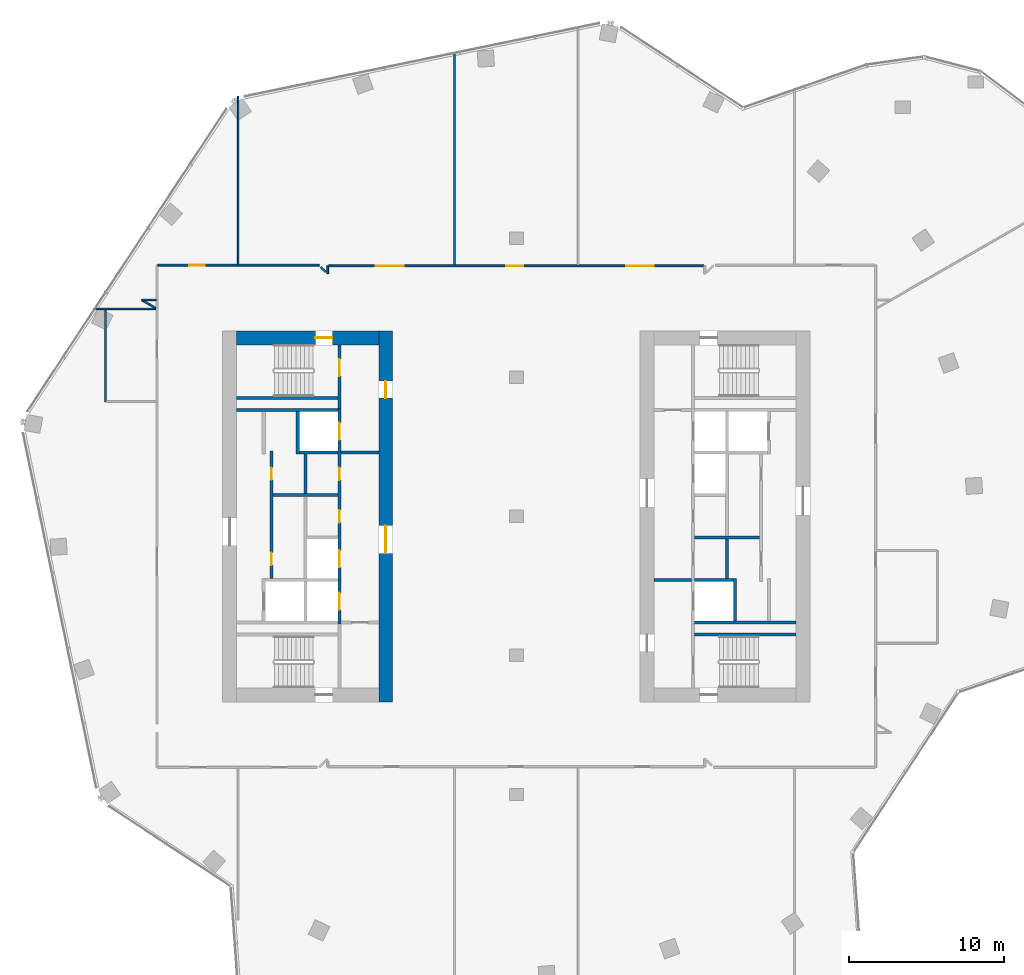
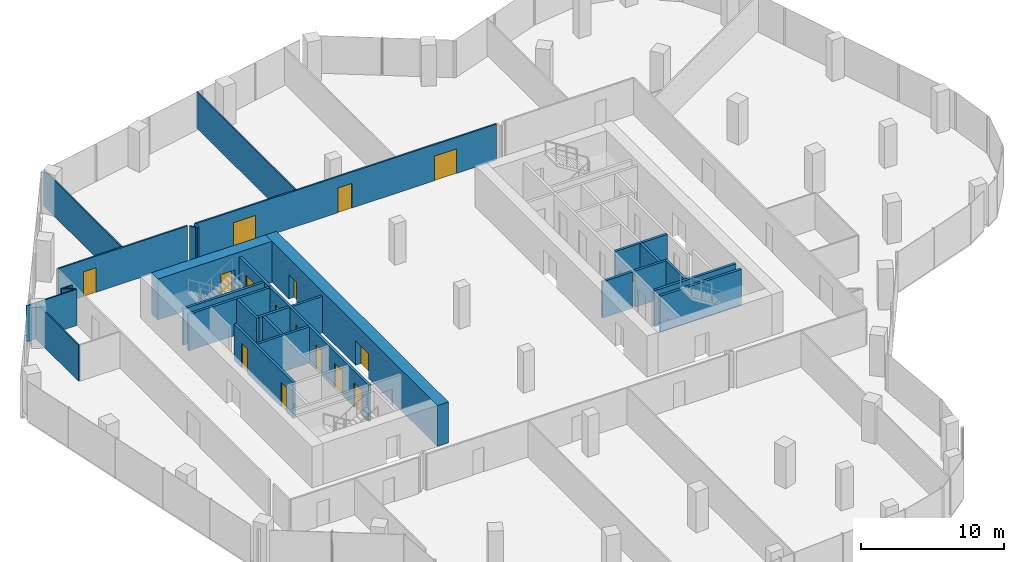
# One storey, part 19 of 24: 29 walls, 15 doors, 15 openings.
"""IFC4 building model written with IfcOpenShell, lengths in metres."""

from ifc_helpers import new_model, si_unit, direction, frame, frame_2d, origin, place, context, subcontext, project, spatial, rectangle, extrude, material, layer, layer_set, type_object, element, fill, save


model = new_model("IFC4")

# Units and contexts
model_context = context("Model", 3, precision=1e-05, world=origin(), true_north=direction((0.0, 1.0)))
body_context = subcontext(model_context, "Body", "Model", "MODEL_VIEW")
ifc_project = project(units=[si_unit("LENGTHUNIT", "METRE"), si_unit("AREAUNIT", "SQUARE_METRE"), si_unit("VOLUMEUNIT", "CUBIC_METRE"), si_unit("PLANEANGLEUNIT", "RADIAN"), si_unit("MASSUNIT", "GRAM", prefix="KILO")], contexts=[model_context])

# Site, building, storey
site_placement = place(None, origin())
site = spatial("IfcSite", under=ifc_project, at=site_placement, CompositionType="ELEMENT")
building_placement = place(site_placement, origin())
building = spatial("IfcBuilding", under=site, at=building_placement, Name="Orlundy Tower", CompositionType="ELEMENT")
storey_placement = place(building_placement, frame((0.0, 0.0, 235.5)))
storey = spatial("IfcBuildingStorey", under=building, at=storey_placement, Name="L62", CompositionType="ELEMENT", Elevation=235.5)

# Wall, opening, door
ifc_material_1 = material(Name="Concrete C60/75", Category="concrete")
ifc_layer_1 = layer(ifc_material_1, 0.89990234375)
ifc_layer_set_1 = layer_set([ifc_layer_1], Name="CORE WALL 900 C60/75")
wall_type_1 = type_object("IfcWallType", Name="CORE WALL 900 C60/75", PredefinedType="SHEAR", material=ifc_layer_set_1)
wall_1_placement = place(storey_placement, frame((-18.10009765625, 11.550048828125, 0.0), z_axis=(0.0, 0.0, 1.0), x_axis=(1.0, 0.0, 0.0)))
wall_1 = element("IfcWall", 1, at=wall_1_placement, inside=storey, type_object=wall_type_1, Name="Core wall W-N L62", PredefinedType="SHEAR", context=body_context, shape_type="SweptSolid", body=[
    extrude(rectangle(XDim=9.2001953125, YDim=0.89990234375, at=frame_2d((4.60009765625, 0.0))), origin(), (0.0, 0.0, 1.0), 3.5),
])
opening_1_placement = place(wall_1_placement, frame((5.10009765625, 0.0, 0.0)))
opening_1 = element("IfcOpeningElement", 2, at=opening_1_placement, cuts=wall_1, Name="Opening 48012", PredefinedType="OPENING", context=body_context, shape_type="SweptSolid", body=[
    extrude(rectangle(XDim=1.10009765625, YDim=2.10009765625, at=frame_2d((0.550048828125, 1.050048828125))), frame((0.0, 0.4599609375, 0.0), z_axis=(0.0, -1.0, 0.0), x_axis=(1.0, 0.0, 0.0)), (0.0, 0.0, 1.0), 0.919921875),
])
ifc_material_2 = material(Name="Steel door set", Category="steel")
door_type_1 = type_object("IfcDoorType", Name="Stair Door 1100x2100", OperationType="SINGLE_SWING_LEFT", PredefinedType="DOOR", material=ifc_material_2)
door_1_placement = place(opening_1_placement, origin())
door_1 = element("IfcDoor", 3, at=door_1_placement, inside=storey, type_object=door_type_1, Name="Stair door 48012", OperationType="SINGLE_SWING_RIGHT", OverallHeight=2.10009765625, OverallWidth=1.10009765625, PredefinedType="DOOR", context=body_context, shape_type="SweptSolid", body=[
    extrude(rectangle(XDim=1.10009765625, YDim=2.10009765625, at=frame_2d((0.550048828125, 1.050048828125))), frame((0.0, 0.02490234375, 0.0), z_axis=(0.0, -1.0, 0.0), x_axis=(1.0, 0.0, 0.0)), (0.0, 0.0, 1.0), 0.050048828125),
])
fill(opening_1, door_1)

# Wall, openings, doors
wall_2_placement = place(storey_placement, frame((-8.449951171875, -12.0, 0.0), z_axis=(0.0, 0.0, 1.0), x_axis=(0.0, 1.0, 0.0)))
wall_2 = element("IfcWall", 4, at=wall_2_placement, inside=storey, type_object=wall_type_1, Name="Core wall W-E L62", PredefinedType="SHEAR", context=body_context, shape_type="SweptSolid", body=[
    extrude(rectangle(XDim=24.0, YDim=0.89990234375, at=frame_2d((12.0, 0.0))), origin(), (0.0, 0.0, 1.0), 3.5),
])
opening_2_placement = place(wall_2_placement, frame((9.60009765625, 0.0, 0.0)))
opening_2 = element("IfcOpeningElement", 5, at=opening_2_placement, cuts=wall_2, Name="Opening 48009", PredefinedType="OPENING", context=body_context, shape_type="SweptSolid", body=[
    extrude(rectangle(XDim=1.800048828125, YDim=2.10009765625, at=frame_2d((0.89990234375, 1.050048828125))), frame((0.0, 0.4599609375, 0.0), z_axis=(0.0, -1.0, 0.0), x_axis=(1.0, 0.0, 0.0)), (0.0, 0.0, 1.0), 0.919921875),
])
opening_3_placement = place(wall_2_placement, frame((19.64990234375, 0.0, 0.0)))
opening_3 = element("IfcOpeningElement", 6, at=opening_3_placement, cuts=wall_2, Name="Opening 48011", PredefinedType="OPENING", context=body_context, shape_type="SweptSolid", body=[
    extrude(rectangle(XDim=1.10009765625, YDim=2.10009765625, at=frame_2d((0.550048828125, 1.050048828125))), frame((0.0, 0.4599609375, 0.0), z_axis=(0.0, -1.0, 0.0), x_axis=(1.0, 0.0, 0.0)), (0.0, 0.0, 1.0), 0.919921875),
])
ifc_material_3 = material(Name="Steel door set", Category="steel")
door_type_2 = type_object("IfcDoorType", Name="Fire-fighting Lobby Door 1100x2100", OperationType="SINGLE_SWING_LEFT", PredefinedType="DOOR", material=ifc_material_3)
door_2_placement = place(opening_3_placement, origin())
door_2 = element("IfcDoor", 7, at=door_2_placement, inside=storey, type_object=door_type_2, Name="Fire-fighting lobby door 48011", OperationType="SINGLE_SWING_RIGHT", OverallHeight=2.10009765625, OverallWidth=1.10009765625, PredefinedType="DOOR", context=body_context, shape_type="SweptSolid", body=[
    extrude(rectangle(XDim=1.10009765625, YDim=2.10009765625, at=frame_2d((0.550048828125, 1.050048828125))), frame((0.0, 0.02490234375, 0.0), z_axis=(0.0, -1.0, 0.0), x_axis=(1.0, 0.0, 0.0)), (0.0, 0.0, 1.0), 0.050048828125),
])
fill(opening_3, door_2)
ifc_material_4 = material(Name="Timber door set", Category="wood")
door_type_3 = type_object("IfcDoorType", Name="Lobby Door 1800x2100", OperationType="DOUBLE_DOOR_DOUBLE_SWING", PredefinedType="DOOR", material=ifc_material_4)
door_3_placement = place(opening_2_placement, origin())
door_3 = element("IfcDoor", 8, at=door_3_placement, inside=storey, type_object=door_type_3, Name="Lift lobby door 48009", OperationType="SINGLE_SWING_LEFT", OverallHeight=2.10009765625, OverallWidth=1.800048828125, PredefinedType="DOOR", context=body_context, shape_type="SweptSolid", body=[
    extrude(rectangle(XDim=1.800048828125, YDim=2.10009765625, at=frame_2d((0.89990234375, 1.050048828125))), frame((0.0, 0.02490234375, 0.0), z_axis=(0.0, -1.0, 0.0), x_axis=(1.0, 0.0, 0.0)), (0.0, 0.0, 1.0), 0.050048828125),
])
fill(opening_2, door_3)

# Walls
ifc_material_5 = material(Name="Gypsum board partition")
ifc_layer_2 = layer(ifc_material_5, 0.10009765625)
ifc_layer_set_2 = layer_set([ifc_layer_2], Name="Floor partition 100")
wall_type_2 = type_object("IfcWallType", Name="Floor partition 100", PredefinedType="PARTITIONING", material=ifc_layer_set_2)
wall_3_placement = place(storey_placement, frame((-24.2060546875, 13.97509765625, 0.0), z_axis=(0.0, 0.0, 1.0), x_axis=(0.866136921896, -0.4998067952, 0.0)))
element("IfcWall", 9, at=wall_3_placement, inside=storey, type_object=wall_type_2, Name="wall-int-L62-004", PredefinedType="PARTITIONING", context=body_context, shape_type="SweptSolid", body=[
    extrude(rectangle(XDim=1.00244140625, YDim=0.10009765625, at=frame_2d((0.501220703125, 0.0))), origin(), (0.0, 0.0, 1.0), 3.080078125),
])
wall_4_placement = place(storey_placement, frame((-27.376953125, 13.424072265625, 0.0), z_axis=(0.0, 0.0, 1.0), x_axis=(1.0, 0.0, 0.0)))
element("IfcWall", 10, at=wall_4_placement, inside=storey, type_object=wall_type_2, Name="wall-int-L62-013", PredefinedType="PARTITIONING", context=body_context, shape_type="SweptSolid", body=[
    extrude(rectangle(XDim=4.06298828125, YDim=0.10009765625, at=frame_2d((2.031494140625, 0.0))), origin(), (0.0, 0.0, 1.0), 3.080078125),
])
wall_5_placement = place(storey_placement, frame((-24.2490234375, 14.0, 0.0), z_axis=(0.0, 0.0, 1.0), x_axis=(1.0, 0.0, 0.0)))
element("IfcWall", 11, at=wall_5_placement, inside=storey, type_object=wall_type_2, Name="wall-int-L62-014", PredefinedType="PARTITIONING", context=body_context, shape_type="SweptSolid", body=[
    extrude(rectangle(XDim=0.93701171875, YDim=0.10009765625, at=frame_2d((0.468505859375, 0.0))), origin(), (0.0, 0.0, 1.0), 3.080078125),
])
wall_6_placement = place(storey_placement, frame((-4.0, 16.261962890625, 0.0), z_axis=(0.0, 0.0, 1.0), x_axis=(0.0, 1.0, 0.0)))
element("IfcWall", 12, at=wall_6_placement, inside=storey, type_object=wall_type_2, Name="wall-int-L62-032", PredefinedType="PARTITIONING", context=body_context, shape_type="SweptSolid", body=[
    extrude(rectangle(XDim=13.800048828125, YDim=0.10009765625, at=frame_2d((6.89990234375, 0.0))), origin(), (0.0, 0.0, 1.0), 3.080078125),
])
wall_7_placement = place(storey_placement, frame((-18.0, 16.31201171875, 0.0), z_axis=(0.0, 0.0, 1.0), x_axis=(0.0, 1.0, 0.0)))
element("IfcWall", 13, at=wall_7_placement, inside=storey, type_object=wall_type_2, Name="wall-int-L62-034", PredefinedType="PARTITIONING", context=body_context, shape_type="SweptSolid", body=[
    extrude(rectangle(XDim=10.85888671875, YDim=0.10009765625, at=frame_2d((5.429443359375, 0.0))), origin(), (0.0, 0.0, 1.0), 3.080078125),
])
wall_8_placement = place(storey_placement, frame((-26.58203125, 7.423095703125, 0.0), z_axis=(0.0, 0.0, 1.0), x_axis=(0.0, 1.0, 0.0)))
element("IfcWall", 14, at=wall_8_placement, inside=storey, type_object=wall_type_2, Name="wall-int-L62-037", PredefinedType="PARTITIONING", context=body_context, shape_type="SweptSolid", body=[
    extrude(rectangle(XDim=6.0, YDim=0.10009765625, at=frame_2d((3.0, 0.0))), origin(), (0.0, 0.0, 1.0), 3.080078125),
])
ifc_material_6 = material(Name="Gypsum board partition, double layer")
ifc_layer_3 = layer(ifc_material_6, 0.125)
ifc_layer_set_3 = layer_set([ifc_layer_3], Name="Floor partition 125")
wall_type_3 = type_object("IfcWallType", Name="Floor partition 125", PredefinedType="PARTITIONING", material=ifc_layer_set_3)
wall_9_placement = place(storey_placement, frame((-12.64599609375, 16.1240234375, 0.0), z_axis=(0.0, 0.0, 1.0), x_axis=(0.707106781187, -0.707106781187, 0.0)))
element("IfcWall", 15, at=wall_9_placement, inside=storey, type_object=wall_type_3, Name="wall-int-L62-003", PredefinedType="PARTITIONING", context=body_context, shape_type="SweptSolid", body=[
    extrude(rectangle(XDim=0.449951171875, YDim=0.125, at=frame_2d((0.22509765625, 0.0))), origin(), (0.0, 0.0, 1.0), 3.080078125),
])

# Wall, openings, doors
wall_10_placement = place(storey_placement, frame((-12.136962890625, 16.199951171875, 0.0), z_axis=(0.0, 0.0, 1.0), x_axis=(1.0, 0.0, 0.0)))
wall_10 = element("IfcWall", 16, at=wall_10_placement, inside=storey, type_object=wall_type_3, Name="wall-int-L62-016", PredefinedType="PARTITIONING", context=body_context, shape_type="SweptSolid", body=[
    extrude(rectangle(XDim=24.27587890625, YDim=0.125, at=frame_2d((12.137939453125, 0.0))), origin(), (0.0, 0.0, 1.0), 3.080078125),
])
opening_4_placement = place(wall_10_placement, frame((19.237548828125, 0.0, 0.0)))
opening_4 = element("IfcOpeningElement", 17, at=opening_4_placement, cuts=wall_10, Name="Opening 48108", PredefinedType="OPENING", context=body_context, shape_type="SweptSolid", body=[
    extrude(rectangle(XDim=1.800048828125, YDim=2.10009765625, at=frame_2d((0.89990234375, 1.050048828125))), frame((0.0, 0.072509765625, 0.0), z_axis=(0.0, -1.0, 0.0), x_axis=(1.0, 0.0, 0.0)), (0.0, 0.0, 1.0), 0.14501953125),
])
opening_5_placement = place(wall_10_placement, frame((11.487548828125, 0.0, 0.0)))
opening_5 = element("IfcOpeningElement", 18, at=opening_5_placement, cuts=wall_10, Name="Opening 48109", PredefinedType="OPENING", context=body_context, shape_type="SweptSolid", body=[
    extrude(rectangle(XDim=1.10009765625, YDim=2.10009765625, at=frame_2d((0.550048828125, 1.050048828125))), frame((0.0, 0.072509765625, 0.0), z_axis=(0.0, -1.0, 0.0), x_axis=(1.0, 0.0, 0.0)), (0.0, 0.0, 1.0), 0.14501953125),
])
opening_6_placement = place(wall_10_placement, frame((3.03759765625, 0.0, 0.0)))
opening_6 = element("IfcOpeningElement", 19, at=opening_6_placement, cuts=wall_10, Name="Opening 48110", PredefinedType="OPENING", context=body_context, shape_type="SweptSolid", body=[
    extrude(rectangle(XDim=1.800048828125, YDim=2.10009765625, at=frame_2d((0.89990234375, 1.050048828125))), frame((0.0, 0.072509765625, 0.0), z_axis=(0.0, -1.0, 0.0), x_axis=(1.0, 0.0, 0.0)), (0.0, 0.0, 1.0), 0.14501953125),
])
ifc_material_7 = material(Name="Timber door leaf", Category="wood")
door_type_4 = type_object("IfcDoorType", Name="Floor door double 1800 FD30S", OperationType="NOTDEFINED", PredefinedType="DOOR", material=ifc_material_7)
door_4_placement = place(opening_4_placement, origin())
door_4 = element("IfcDoor", 20, at=door_4_placement, inside=storey, type_object=door_type_4, Name="Door 48108", OperationType="DOUBLE_DOOR_SINGLE_SWING", OverallHeight=2.10009765625, OverallWidth=1.800048828125, PredefinedType="DOOR", context=body_context, shape_type="SweptSolid", body=[
    extrude(rectangle(XDim=1.800048828125, YDim=2.10009765625, at=frame_2d((0.89990234375, 1.050048828125))), frame((0.0, 0.02490234375, 0.0), z_axis=(0.0, -1.0, 0.0), x_axis=(1.0, 0.0, 0.0)), (0.0, 0.0, 1.0), 0.050048828125),
])
fill(opening_4, door_4)
door_5_placement = place(opening_6_placement, origin())
door_5 = element("IfcDoor", 21, at=door_5_placement, inside=storey, type_object=door_type_4, Name="Door 48110", OperationType="DOUBLE_DOOR_SINGLE_SWING", OverallHeight=2.10009765625, OverallWidth=1.800048828125, PredefinedType="DOOR", context=body_context, shape_type="SweptSolid", body=[
    extrude(rectangle(XDim=1.800048828125, YDim=2.10009765625, at=frame_2d((0.89990234375, 1.050048828125))), frame((0.0, 0.02490234375, 0.0), z_axis=(0.0, -1.0, 0.0), x_axis=(1.0, 0.0, 0.0)), (0.0, 0.0, 1.0), 0.050048828125),
])
fill(opening_6, door_5)
ifc_material_8 = material(Name="Timber door leaf", Category="wood")
door_type_5 = type_object("IfcDoorType", Name="Floor door xwide 1100 FD30S", OperationType="NOTDEFINED", PredefinedType="DOOR", material=ifc_material_8)
door_6_placement = place(opening_5_placement, origin())
door_6 = element("IfcDoor", 22, at=door_6_placement, inside=storey, type_object=door_type_5, Name="Door 48109", OperationType="SINGLE_SWING_LEFT", OverallHeight=2.10009765625, OverallWidth=1.10009765625, PredefinedType="DOOR", context=body_context, shape_type="SweptSolid", body=[
    extrude(rectangle(XDim=1.10009765625, YDim=2.10009765625, at=frame_2d((0.550048828125, 1.050048828125))), frame((0.0, 0.02490234375, 0.0), z_axis=(0.0, -1.0, 0.0), x_axis=(1.0, 0.0, 0.0)), (0.0, 0.0, 1.0), 0.050048828125),
])
fill(opening_5, door_6)

# Wall, opening, door
wall_11_placement = place(storey_placement, frame((-23.18798828125, 16.25, 0.0), z_axis=(0.0, 0.0, 1.0), x_axis=(1.0, 0.0, 0.0)))
wall_11 = element("IfcWall", 23, at=wall_11_placement, inside=storey, type_object=wall_type_3, Name="wall-int-L62-017", PredefinedType="PARTITIONING", context=body_context, shape_type="SweptSolid", body=[
    extrude(rectangle(XDim=10.428955078125, YDim=0.125, at=frame_2d((5.21435546875, 0.0))), origin(), (0.0, 0.0, 1.0), 3.080078125),
])
opening_7_placement = place(wall_11_placement, frame((2.03759765625, 0.0, 0.0)))
opening_7 = element("IfcOpeningElement", 24, at=opening_7_placement, cuts=wall_11, Name="Opening 48111", PredefinedType="OPENING", context=body_context, shape_type="SweptSolid", body=[
    extrude(rectangle(XDim=1.0, YDim=2.10009765625, at=frame_2d((0.5, 1.050048828125))), frame((0.0, 0.072509765625, 0.0), z_axis=(0.0, -1.0, 0.0), x_axis=(1.0, 0.0, 0.0)), (0.0, 0.0, 1.0), 0.14501953125),
])
ifc_material_9 = material(Name="Timber door leaf", Category="wood")
door_type_6 = type_object("IfcDoorType", Name="Floor door wide 1000 FD30S", OperationType="NOTDEFINED", PredefinedType="DOOR", material=ifc_material_9)
door_7_placement = place(opening_7_placement, origin())
door_7 = element("IfcDoor", 25, at=door_7_placement, inside=storey, type_object=door_type_6, Name="Door 48111", OperationType="SINGLE_SWING_LEFT", OverallHeight=2.10009765625, OverallWidth=1.0, PredefinedType="DOOR", context=body_context, shape_type="SweptSolid", body=[
    extrude(rectangle(XDim=1.0, YDim=2.10009765625, at=frame_2d((0.5, 1.050048828125))), frame((0.0, 0.02490234375, 0.0), z_axis=(0.0, -1.0, 0.0), x_axis=(1.0, 0.0, 0.0)), (0.0, 0.0, 1.0), 0.050048828125),
])
fill(opening_7, door_7)

# Wall
wall_12_placement = place(storey_placement, frame((-12.200927734375, 15.69189453125, 0.0), z_axis=(0.0, 0.0, 1.0), x_axis=(0.00192214926, 0.999998152669, 0.0)))
element("IfcWall", 26, at=wall_12_placement, inside=storey, type_object=wall_type_3, Name="wall-int-L62-022", PredefinedType="PARTITIONING", context=body_context, shape_type="SweptSolid", body=[
    extrude(rectangle(XDim=0.508056640625, YDim=0.125, at=frame_2d((0.25390625, 0.0))), origin(), (0.0, 0.0, 1.0), 3.080078125),
])

# Wall, opening, door
ifc_material_10 = material(Name="Concrete C40/50", Category="concrete")
ifc_layer_4 = layer(ifc_material_10, 0.199951171875)
ifc_layer_set_4 = layer_set([ifc_layer_4], Name="Load-bearing Shaft Wall 200")
wall_type_4 = type_object("IfcWallType", Name="Load-bearing Shaft Wall 200", PredefinedType="SOLIDWALL", material=ifc_layer_set_4)
wall_13_placement = place(storey_placement, frame((-11.43994140625, 6.97509765625, 0.0), z_axis=(0.0, 0.0, 1.0), x_axis=(0.0, 1.0, 0.0)))
wall_13 = element("IfcWall", 27, at=wall_13_placement, inside=storey, type_object=wall_type_4, Name="Shaft wall W48-stair-end-n", PredefinedType="SOLIDWALL", context=body_context, shape_type="SweptSolid", body=[
    extrude(rectangle(XDim=4.125, YDim=0.199951171875, at=frame_2d((2.0625, 0.0))), origin(), (0.0, 0.0, 1.0), 3.090087890625),
])
opening_8_placement = place(wall_13_placement, frame((2.10009765625, 0.0, 0.0)))
opening_8 = element("IfcOpeningElement", 28, at=opening_8_placement, cuts=wall_13, Name="Opening 48014", PredefinedType="OPENING", context=body_context, shape_type="SweptSolid", body=[
    extrude(rectangle(XDim=1.10009765625, YDim=2.10009765625, at=frame_2d((0.550048828125, 1.050048828125))), frame((0.0, 0.110107421875, 0.0), z_axis=(0.0, -1.0, 0.0), x_axis=(1.0, 0.0, 0.0)), (0.0, 0.0, 1.0), 0.22021484375),
])
door_8_placement = place(opening_8_placement, origin())
door_8 = element("IfcDoor", 29, at=door_8_placement, inside=storey, type_object=door_type_2, Name="Fire-fighting lobby to stair door 48014", OperationType="SINGLE_SWING_RIGHT", OverallHeight=2.10009765625, OverallWidth=1.10009765625, PredefinedType="DOOR", context=body_context, shape_type="SweptSolid", body=[
    extrude(rectangle(XDim=1.10009765625, YDim=2.10009765625, at=frame_2d((0.550048828125, 1.050048828125))), frame((0.0, 0.02490234375, 0.0), z_axis=(0.0, -1.0, 0.0), x_axis=(1.0, 0.0, 0.0)), (0.0, 0.0, 1.0), 0.050048828125),
])
fill(opening_8, door_8)

# Walls
for number, where, z_axis, x_axis, name in (
    (30, (-11.5400390625, 7.64990234375, 0.0), (0.0, 0.0, 1.0), (-1.0, 0.0, 0.0), "Shaft wall W48-stair-side-n"),
    (31, (11.5400390625, -7.64990234375, 0.0), (0.0, 0.0, 1.0), (1.0, 0.0, 0.0), "Shaft wall E48-stair-side-n"),
):
    element("IfcWall", number, at=place(storey_placement, frame(where, z_axis=z_axis, x_axis=x_axis)), inside=storey, type_object=wall_type_4, Name=name, PredefinedType="SOLIDWALL", context=body_context, shape_type="SweptSolid", body=[
        extrude(rectangle(XDim=6.56005859375, YDim=0.199951171875, at=frame_2d((3.280029296875, 0.0))), origin(), (0.0, 0.0, 1.0), 3.090087890625),
    ])
ifc_material_11 = material(Name="Gypsum board partition on steel studs", Category="steel")
ifc_layer_5 = layer(ifc_material_11, 0.199951171875)
ifc_layer_set_5 = layer_set([ifc_layer_5], Name="Partition 200")
wall_type_5 = type_object("IfcWallType", Name="Partition 200", PredefinedType="PARTITIONING", material=ifc_layer_set_5)
for number, where, z_axis, x_axis, name in (
    (32, (-8.89990234375, 4.125, 0.0), (0.0, 0.0, 1.0), (-1.0, 0.0, 0.0), "Partition wall W48-lobby-n"),
    (33, (8.89990234375, -4.125, 0.0), (0.0, 0.0, 1.0), (1.0, 0.0, 0.0), "Partition wall E48-lobby-n"),
):
    element("IfcWall", number, at=place(storey_placement, frame(where, z_axis=z_axis, x_axis=x_axis)), inside=storey, type_object=wall_type_5, Name=name, PredefinedType="PARTITIONING", context=body_context, shape_type="SweptSolid", body=[
        extrude(rectangle(XDim=2.440185546875, YDim=0.199951171875, at=frame_2d((1.22021484375, 0.0))), origin(), (0.0, 0.0, 1.0), 3.090087890625),
    ])
ifc_material_12 = material(Name="Fire-rated blockwork shaft wall", Category="masonry")
ifc_layer_6 = layer(ifc_material_12, 0.199951171875)
ifc_layer_set_6 = layer_set([ifc_layer_6], Name="Shaft Wall 200")
wall_type_6 = type_object("IfcWallType", Name="Shaft Wall 200", PredefinedType="SOLIDWALL", material=ifc_layer_set_6)
wall_14_placement = place(storey_placement, frame((-11.5400390625, 6.875, 0.0), z_axis=(0.0, 0.0, 1.0), x_axis=(-1.0, 0.0, 0.0)))
element("IfcWall", 34, at=wall_14_placement, inside=storey, type_object=wall_type_6, Name="Shaft wall W48-zone-n", PredefinedType="SOLIDWALL", context=body_context, shape_type="SweptSolid", body=[
    extrude(rectangle(XDim=6.56005859375, YDim=0.199951171875, at=frame_2d((3.280029296875, 0.0))), origin(), (0.0, 0.0, 1.0), 3.090087890625),
])
wall_15_placement = place(storey_placement, frame((-11.5400390625, 1.375, 0.0), z_axis=(0.0, 0.0, 1.0), x_axis=(-1.0, 0.0, 0.0)))
element("IfcWall", 35, at=wall_15_placement, inside=storey, type_object=wall_type_6, Name="Shaft wall W48-cross+1.375", PredefinedType="SOLIDWALL", context=body_context, shape_type="SweptSolid", body=[
    extrude(rectangle(XDim=4.199951171875, YDim=0.199951171875, at=frame_2d((2.10009765625, 0.0))), origin(), (0.0, 0.0, 1.0), 3.090087890625),
])
wall_16_placement = place(storey_placement, frame((-11.5400390625, 4.125, 0.0), z_axis=(0.0, 0.0, 1.0), x_axis=(-1.0, 0.0, 0.0)))
element("IfcWall", 36, at=wall_16_placement, inside=storey, type_object=wall_type_6, Name="Shaft wall W48-cross+4.125", PredefinedType="SOLIDWALL", context=body_context, shape_type="SweptSolid", body=[
    extrude(rectangle(XDim=2.5, YDim=0.199951171875, at=frame_2d((1.25, 0.0))), origin(), (0.0, 0.0, 1.0), 3.090087890625),
])

# Wall, openings, doors
wall_17_placement = place(storey_placement, frame((-11.43994140625, -6.97509765625, 0.0), z_axis=(0.0, 0.0, 1.0), x_axis=(0.0, 1.0, 0.0)))
wall_17 = element("IfcWall", 37, at=wall_17_placement, inside=storey, type_object=wall_type_6, Name="Shaft wall W48-front-h", PredefinedType="SOLIDWALL", context=body_context, shape_type="SweptSolid", body=[
    extrude(rectangle(XDim=13.9501953125, YDim=0.199951171875, at=frame_2d((6.97509765625, 0.0))), origin(), (0.0, 0.0, 1.0), 3.090087890625),
])
opening_9_placement = place(wall_17_placement, frame((0.925048828125, 0.0, 0.0)))
opening_9 = element("IfcOpeningElement", 38, at=opening_9_placement, cuts=wall_17, Name="Opening 48001", PredefinedType="OPENING", context=body_context, shape_type="SweptSolid", body=[
    extrude(rectangle(XDim=1.10009765625, YDim=2.10009765625, at=frame_2d((0.550048828125, 1.050048828125))), frame((0.0, 0.110107421875, 0.0), z_axis=(0.0, -1.0, 0.0), x_axis=(1.0, 0.0, 0.0)), (0.0, 0.0, 1.0), 0.22021484375),
])
opening_10_placement = place(wall_17_placement, frame((3.675048828125, 0.0, 0.0)))
opening_10 = element("IfcOpeningElement", 39, at=opening_10_placement, cuts=wall_17, Name="Opening 48003", PredefinedType="OPENING", context=body_context, shape_type="SweptSolid", body=[
    extrude(rectangle(XDim=1.10009765625, YDim=2.10009765625, at=frame_2d((0.550048828125, 1.050048828125))), frame((0.0, 0.110107421875, 0.0), z_axis=(0.0, -1.0, 0.0), x_axis=(1.0, 0.0, 0.0)), (0.0, 0.0, 1.0), 0.22021484375),
])
opening_11_placement = place(wall_17_placement, frame((11.925048828125, 0.0, 0.0)))
opening_11 = element("IfcOpeningElement", 40, at=opening_11_placement, cuts=wall_17, Name="Opening 48004", PredefinedType="OPENING", context=body_context, shape_type="SweptSolid", body=[
    extrude(rectangle(XDim=1.10009765625, YDim=2.10009765625, at=frame_2d((0.550048828125, 1.050048828125))), frame((0.0, 0.110107421875, 0.0), z_axis=(0.0, -1.0, 0.0), x_axis=(1.0, 0.0, 0.0)), (0.0, 0.0, 1.0), 0.22021484375),
])
opening_12_placement = place(wall_17_placement, frame((6.574951171875, 0.0, 0.0)))
opening_12 = element("IfcOpeningElement", 41, at=opening_12_placement, cuts=wall_17, Name="Opening 48006", PredefinedType="OPENING", context=body_context, shape_type="SweptSolid", body=[
    extrude(rectangle(XDim=0.800048828125, YDim=2.10009765625, at=frame_2d((0.39990234375, 1.050048828125))), frame((0.0, 0.110107421875, 0.0), z_axis=(0.0, -1.0, 0.0), x_axis=(1.0, 0.0, 0.0)), (0.0, 0.0, 1.0), 0.22021484375),
])
opening_13_placement = place(wall_17_placement, frame((9.324951171875, 0.0, 0.0)))
opening_13 = element("IfcOpeningElement", 42, at=opening_13_placement, cuts=wall_17, Name="Opening 48007", PredefinedType="OPENING", context=body_context, shape_type="SweptSolid", body=[
    extrude(rectangle(XDim=0.800048828125, YDim=2.10009765625, at=frame_2d((0.39990234375, 1.050048828125))), frame((0.0, 0.110107421875, 0.0), z_axis=(0.0, -1.0, 0.0), x_axis=(1.0, 0.0, 0.0)), (0.0, 0.0, 1.0), 0.22021484375),
])
ifc_material_13 = material(Name="Steel door set", Category="steel")
door_type_7 = type_object("IfcDoorType", Name="Landing Door 1100x2100", OperationType="DOUBLE_DOOR_SLIDING", PredefinedType="DOOR", material=ifc_material_13)
door_9_placement = place(opening_9_placement, origin())
door_9 = element("IfcDoor", 43, at=door_9_placement, inside=storey, type_object=door_type_7, Name="Lift landing door LP-22 48001", OperationType="DOUBLE_DOOR_SLIDING", OverallHeight=2.10009765625, OverallWidth=1.10009765625, PredefinedType="DOOR", context=body_context, shape_type="SweptSolid", body=[
    extrude(rectangle(XDim=1.10009765625, YDim=2.10009765625, at=frame_2d((0.550048828125, 1.050048828125))), frame((0.0, 0.02490234375, 0.0), z_axis=(0.0, -1.0, 0.0), x_axis=(1.0, 0.0, 0.0)), (0.0, 0.0, 1.0), 0.050048828125),
])
fill(opening_9, door_9)
door_10_placement = place(opening_10_placement, origin())
door_10 = element("IfcDoor", 44, at=door_10_placement, inside=storey, type_object=door_type_7, Name="Lift landing door LP-21 48003", OperationType="DOUBLE_DOOR_SLIDING", OverallHeight=2.10009765625, OverallWidth=1.10009765625, PredefinedType="DOOR", context=body_context, shape_type="SweptSolid", body=[
    extrude(rectangle(XDim=1.10009765625, YDim=2.10009765625, at=frame_2d((0.550048828125, 1.050048828125))), frame((0.0, 0.02490234375, 0.0), z_axis=(0.0, -1.0, 0.0), x_axis=(1.0, 0.0, 0.0)), (0.0, 0.0, 1.0), 0.050048828125),
])
fill(opening_10, door_10)
door_11_placement = place(opening_11_placement, origin())
door_11 = element("IfcDoor", 45, at=door_11_placement, inside=storey, type_object=door_type_7, Name="Lift landing door FL1 48004", OperationType="DOUBLE_DOOR_SLIDING", OverallHeight=2.10009765625, OverallWidth=1.10009765625, PredefinedType="DOOR", context=body_context, shape_type="SweptSolid", body=[
    extrude(rectangle(XDim=1.10009765625, YDim=2.10009765625, at=frame_2d((0.550048828125, 1.050048828125))), frame((0.0, 0.02490234375, 0.0), z_axis=(0.0, -1.0, 0.0), x_axis=(1.0, 0.0, 0.0)), (0.0, 0.0, 1.0), 0.050048828125),
])
fill(opening_11, door_11)
ifc_material_14 = material(Name="Timber door set", Category="wood")
door_type_8 = type_object("IfcDoorType", Name="Riser Door 800x2100", OperationType="SINGLE_SWING_LEFT", PredefinedType="DOOR", material=ifc_material_14)
door_12_placement = place(opening_12_placement, origin())
door_12 = element("IfcDoor", 46, at=door_12_placement, inside=storey, type_object=door_type_8, Name="Security Store door 48006", OperationType="SINGLE_SWING_LEFT", OverallHeight=2.10009765625, OverallWidth=0.800048828125, PredefinedType="DOOR", context=body_context, shape_type="SweptSolid", body=[
    extrude(rectangle(XDim=0.800048828125, YDim=2.10009765625, at=frame_2d((0.39990234375, 1.050048828125))), frame((0.0, 0.02490234375, 0.0), z_axis=(0.0, -1.0, 0.0), x_axis=(1.0, 0.0, 0.0)), (0.0, 0.0, 1.0), 0.050048828125),
])
fill(opening_12, door_12)
door_13_placement = place(opening_13_placement, origin())
door_13 = element("IfcDoor", 47, at=door_13_placement, inside=storey, type_object=door_type_8, Name="Furniture Store door 48007", OperationType="SINGLE_SWING_LEFT", OverallHeight=2.10009765625, OverallWidth=0.800048828125, PredefinedType="DOOR", context=body_context, shape_type="SweptSolid", body=[
    extrude(rectangle(XDim=0.800048828125, YDim=2.10009765625, at=frame_2d((0.39990234375, 1.050048828125))), frame((0.0, 0.02490234375, 0.0), z_axis=(0.0, -1.0, 0.0), x_axis=(1.0, 0.0, 0.0)), (0.0, 0.0, 1.0), 0.050048828125),
])
fill(opening_13, door_13)

# Walls
wall_18_placement = place(storey_placement, frame((-13.639892578125, 1.47509765625, 0.0), z_axis=(0.0, 0.0, 1.0), x_axis=(0.0, 1.0, 0.0)))
element("IfcWall", 48, at=wall_18_placement, inside=storey, type_object=wall_type_6, Name="Shaft wall W48-mid-a.2", PredefinedType="SOLIDWALL", context=body_context, shape_type="SweptSolid", body=[
    extrude(rectangle(XDim=2.5498046875, YDim=0.199951171875, at=frame_2d((1.27490234375, 0.0))), origin(), (0.0, 0.0, 1.0), 3.090087890625),
])
wall_19_placement = place(storey_placement, frame((-14.139892578125, 4.02490234375, 0.0), z_axis=(0.0, 0.0, 1.0), x_axis=(0.0, 1.0, 0.0)))
element("IfcWall", 49, at=wall_19_placement, inside=storey, type_object=wall_type_6, Name="Shaft wall W48-mid-b", PredefinedType="SOLIDWALL", context=body_context, shape_type="SweptSolid", body=[
    extrude(rectangle(XDim=2.75, YDim=0.199951171875, at=frame_2d((1.375, 0.0))), origin(), (0.0, 0.0, 1.0), 3.090087890625),
])

# Wall, openings, doors
wall_20_placement = place(storey_placement, frame((-15.840087890625, -4.02490234375, 0.0), z_axis=(0.0, 0.0, 1.0), x_axis=(0.0, 1.0, 0.0)))
wall_20 = element("IfcWall", 50, at=wall_20_placement, inside=storey, type_object=wall_type_6, Name="Shaft wall W48-front-o-b", PredefinedType="SOLIDWALL", context=body_context, shape_type="SweptSolid", body=[
    extrude(rectangle(XDim=8.25, YDim=0.199951171875, at=frame_2d((4.125, 0.0))), origin(), (0.0, 0.0, 1.0), 3.090087890625),
])
opening_14_placement = place(wall_20_placement, frame((0.875, 0.0, 0.0)))
opening_14 = element("IfcOpeningElement", 51, at=opening_14_placement, cuts=wall_20, Name="Opening 48005", PredefinedType="OPENING", context=body_context, shape_type="SweptSolid", body=[
    extrude(rectangle(XDim=0.800048828125, YDim=2.10009765625, at=frame_2d((0.39990234375, 1.050048828125))), frame((0.0, 0.110107421875, 0.0), z_axis=(0.0, -1.0, 0.0), x_axis=(1.0, 0.0, 0.0)), (0.0, 0.0, 1.0), 0.22021484375),
])
opening_15_placement = place(wall_20_placement, frame((6.375, 0.0, 0.0)))
opening_15 = element("IfcOpeningElement", 52, at=opening_15_placement, cuts=wall_20, Name="Opening 48008", PredefinedType="OPENING", context=body_context, shape_type="SweptSolid", body=[
    extrude(rectangle(XDim=0.800048828125, YDim=2.10009765625, at=frame_2d((0.39990234375, 1.050048828125))), frame((0.0, 0.110107421875, 0.0), z_axis=(0.0, -1.0, 0.0), x_axis=(1.0, 0.0, 0.0)), (0.0, 0.0, 1.0), 0.22021484375),
])
door_14_placement = place(opening_14_placement, origin())
door_14 = element("IfcDoor", 53, at=door_14_placement, inside=storey, type_object=door_type_8, Name="HVAC Riser door 48005", OperationType="SINGLE_SWING_LEFT", OverallHeight=2.10009765625, OverallWidth=0.800048828125, PredefinedType="DOOR", context=body_context, shape_type="SweptSolid", body=[
    extrude(rectangle(XDim=0.800048828125, YDim=2.10009765625, at=frame_2d((0.39990234375, 1.050048828125))), frame((0.0, 0.02490234375, 0.0), z_axis=(0.0, -1.0, 0.0), x_axis=(1.0, 0.0, 0.0)), (0.0, 0.0, 1.0), 0.050048828125),
])
fill(opening_14, door_14)
door_15_placement = place(opening_15_placement, origin())
door_15 = element("IfcDoor", 54, at=door_15_placement, inside=storey, type_object=door_type_8, Name="Cleaner's Store door 48008", OperationType="SINGLE_SWING_LEFT", OverallHeight=2.10009765625, OverallWidth=0.800048828125, PredefinedType="DOOR", context=body_context, shape_type="SweptSolid", body=[
    extrude(rectangle(XDim=0.800048828125, YDim=2.10009765625, at=frame_2d((0.39990234375, 1.050048828125))), frame((0.0, 0.02490234375, 0.0), z_axis=(0.0, -1.0, 0.0), x_axis=(1.0, 0.0, 0.0)), (0.0, 0.0, 1.0), 0.050048828125),
])
fill(opening_15, door_15)

# Walls
wall_21_placement = place(storey_placement, frame((11.5400390625, -6.875, 0.0), z_axis=(0.0, 0.0, 1.0), x_axis=(1.0, 0.0, 0.0)))
element("IfcWall", 55, at=wall_21_placement, inside=storey, type_object=wall_type_6, Name="Shaft wall E48-zone-n", PredefinedType="SOLIDWALL", context=body_context, shape_type="SweptSolid", body=[
    extrude(rectangle(XDim=6.56005859375, YDim=0.199951171875, at=frame_2d((3.280029296875, 0.0))), origin(), (0.0, 0.0, 1.0), 3.090087890625),
])
wall_22_placement = place(storey_placement, frame((11.5400390625, -1.375, 0.0), z_axis=(0.0, 0.0, 1.0), x_axis=(1.0, 0.0, 0.0)))
element("IfcWall", 56, at=wall_22_placement, inside=storey, type_object=wall_type_6, Name="Shaft wall E48-cross+1.375", PredefinedType="SOLIDWALL", context=body_context, shape_type="SweptSolid", body=[
    extrude(rectangle(XDim=4.199951171875, YDim=0.199951171875, at=frame_2d((2.10009765625, 0.0))), origin(), (0.0, 0.0, 1.0), 3.090087890625),
])
wall_23_placement = place(storey_placement, frame((11.5400390625, -4.125, 0.0), z_axis=(0.0, 0.0, 1.0), x_axis=(1.0, 0.0, 0.0)))
element("IfcWall", 57, at=wall_23_placement, inside=storey, type_object=wall_type_6, Name="Shaft wall E48-cross+4.125", PredefinedType="SOLIDWALL", context=body_context, shape_type="SweptSolid", body=[
    extrude(rectangle(XDim=2.5, YDim=0.199951171875, at=frame_2d((1.25, 0.0))), origin(), (0.0, 0.0, 1.0), 3.090087890625),
])
wall_24_placement = place(storey_placement, frame((13.639892578125, -1.47509765625, 0.0), z_axis=(0.0, 0.0, 1.0), x_axis=(0.0, -1.0, 0.0)))
element("IfcWall", 58, at=wall_24_placement, inside=storey, type_object=wall_type_6, Name="Shaft wall E48-mid-a.2", PredefinedType="SOLIDWALL", context=body_context, shape_type="SweptSolid", body=[
    extrude(rectangle(XDim=2.5498046875, YDim=0.199951171875, at=frame_2d((1.27490234375, 0.0))), origin(), (0.0, 0.0, 1.0), 3.090087890625),
])
wall_25_placement = place(storey_placement, frame((14.139892578125, -4.02490234375, 0.0), z_axis=(0.0, 0.0, 1.0), x_axis=(0.0, -1.0, 0.0)))
element("IfcWall", 59, at=wall_25_placement, inside=storey, type_object=wall_type_6, Name="Shaft wall E48-mid-b", PredefinedType="SOLIDWALL", context=body_context, shape_type="SweptSolid", body=[
    extrude(rectangle(XDim=2.75, YDim=0.199951171875, at=frame_2d((1.375, 0.0))), origin(), (0.0, 0.0, 1.0), 3.090087890625),
])

save(model, "model.ifc")
